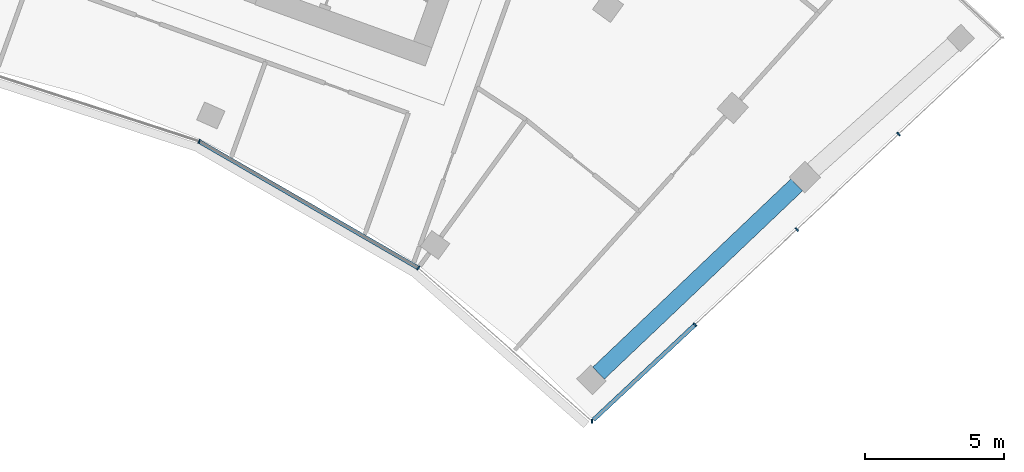
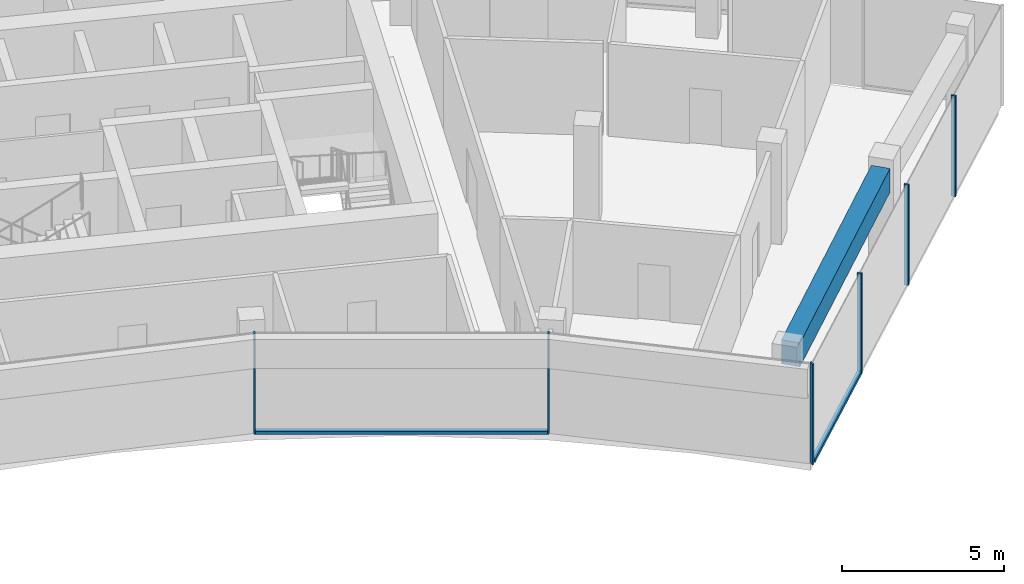
# One storey, part 8 of 18: 8 members, 1 beam, 2 elements without a shape of their own.
"""IFC4 building model written with IfcOpenShell, lengths in metres."""

from ifc_helpers import new_model, si_unit, direction, frame, origin, origin_2d, place, context, subcontext, project, spatial, rectangle, extrude, material, layer, layer_set, material_profile, profile_set, type_object, element, aggregate, save


model = new_model("IFC4")

# Units and contexts
model_context = context("Model", 3, precision=1e-05, world=origin(), true_north=direction((0.0, 1.0)))
body_context = subcontext(model_context, "Body", "Model", "MODEL_VIEW")
ifc_project = project(units=[si_unit("LENGTHUNIT", "METRE"), si_unit("AREAUNIT", "SQUARE_METRE"), si_unit("VOLUMEUNIT", "CUBIC_METRE"), si_unit("PLANEANGLEUNIT", "RADIAN"), si_unit("MASSUNIT", "GRAM", prefix="KILO")], contexts=[model_context])

# Site, building, storey
site_placement = place(None, origin())
site = spatial("IfcSite", under=ifc_project, at=site_placement, CompositionType="ELEMENT")
building_placement = place(site_placement, origin())
building = spatial("IfcBuilding", under=site, at=building_placement, Name="Stone Belt Terrace Tower", CompositionType="ELEMENT")
storey_placement = place(building_placement, frame((0.0, 0.0, 269.39990234375)))
storey = spatial("IfcBuildingStorey", under=building, at=storey_placement, Name="L65", CompositionType="ELEMENT", Elevation=269.39990234375)

# Curtain wall, members
ifc_material_1 = material(Name="Aluminium 6063-T6 anodised frame", Category="aluminium")
ifc_layer_1 = layer(ifc_material_1, 0.14990234375)
ifc_layer_set_1 = layer_set([ifc_layer_1], Name="CW-B unitised concave-face curtain wall")
curtain_wall_type_1 = type_object("IfcCurtainWallType", Name="CW-B unitised concave-face curtain wall", PredefinedType="NOTDEFINED", material=ifc_layer_set_1)
curtain_wall_1_placement = place(storey_placement, origin())
curtain_wall_1 = element("IfcCurtainWall", 1, at=curtain_wall_1_placement, inside=storey, type_object=curtain_wall_type_1, Name="CW-B concave face L65", PredefinedType="NOTDEFINED")
ifc_material_profile_1 = material_profile(ifc_material_1, rectangle(XDim=0.14990234375, YDim=0.050048828125, at=origin_2d()), Name="Aluminium 6063-T6 50x150")
ifc_profile_set_1 = profile_set([ifc_material_profile_1], Name="Aluminium 6063-T6 anodised frame")
member_type_1 = type_object("IfcMemberType", Name="CW-B mullion 50 x 150", PredefinedType="MULLION", material=ifc_profile_set_1)
member_1_placement = place(storey_placement, frame((17.662353515625, 39.67041015625, 0.0), z_axis=(0.0, 0.0, 1.0), x_axis=(0.406736643076, 0.913545457643, 0.0)))
member_1 = element("IfcMember", 2, at=member_1_placement, type_object=member_type_1, Name="CW-B mullion 7", PredefinedType="MULLION", context=body_context, shape_type="SweptSolid", body=[
    extrude(rectangle(XDim=0.14990234375, YDim=0.050048828125, at=origin_2d()), origin(), (0.0, 0.0, 1.0), 3.800048828125),
])
member_2_placement = place(storey_placement, frame((25.524658203125, 35.131103515625, 0.0), z_axis=(0.0, 0.0, 1.0), x_axis=(0.583818854632, 0.811883947973, 0.0)))
member_2 = element("IfcMember", 3, at=member_2_placement, type_object=member_type_1, Name="CW-B mullion 8", PredefinedType="MULLION", context=body_context, shape_type="SweptSolid", body=[
    extrude(rectangle(XDim=0.14990234375, YDim=0.050048828125, at=origin_2d()), origin(), (0.0, 0.0, 1.0), 3.800048828125),
])
ifc_material_profile_2 = material_profile(ifc_material_1, rectangle(XDim=0.14990234375, YDim=0.1201171875, at=origin_2d()), Name="Aluminium 6063-T6 150x120")
ifc_profile_set_2 = profile_set([ifc_material_profile_2], Name="Aluminium 6063-T6 anodised frame")
member_type_2 = type_object("IfcMemberType", Name="CW-B transom 120 x 150", PredefinedType="USERDEFINED", material=ifc_profile_set_2)
member_3_placement = place(storey_placement, frame((17.690673828125, 39.654052734375, 0.06005859375), z_axis=(0.866020948727, -0.500007716307, 0.0), x_axis=(0.500007716307, 0.866020948727, 0.0)))
member_3 = element("IfcMember", 4, at=member_3_placement, type_object=member_type_2, Name="CW-B transom 7.1", ObjectType="TRANSOM", PredefinedType="USERDEFINED", context=body_context, shape_type="SweptSolid", body=[
    extrude(rectangle(XDim=0.14990234375, YDim=0.1201171875, at=origin_2d()), origin(), (0.0, 0.0, 1.0), 9.013427734375),
])
aggregate(curtain_wall_1, [member_1, member_2, member_3])

ifc_layer_2 = layer(ifc_material_1, 0.14990234375)
ifc_layer_set_2 = layer_set([ifc_layer_2], Name="CW-C stick curtain wall, horn ends and notches")
curtain_wall_type_2 = type_object("IfcCurtainWallType", Name="CW-C stick curtain wall, horn ends and notches", PredefinedType="NOTDEFINED", material=ifc_layer_set_2)
curtain_wall_2_placement = place(storey_placement, origin())
curtain_wall_2 = element("IfcCurtainWall", 5, at=curtain_wall_2_placement, inside=storey, type_object=curtain_wall_type_2, Name="CW-C end face L65", PredefinedType="NOTDEFINED")
ifc_material_profile_3 = material_profile(ifc_material_1, rectangle(XDim=0.14990234375, YDim=0.06005859375, at=origin_2d()), Name="Aluminium 6063-T6 60x150")
ifc_profile_set_3 = profile_set([ifc_material_profile_3], Name="Aluminium 6063-T6 anodised frame")
member_type_3 = type_object("IfcMemberType", Name="CW-C mullion 60 x 150", PredefinedType="MULLION", material=ifc_profile_set_3)
member_4_placement = place(storey_placement, frame((31.75244140625, 29.633056640625, 0.0), z_axis=(0.0, 0.0, 1.0), x_axis=(-0.014681639593, 0.999892218921, 0.0)))
member_4 = element("IfcMember", 6, at=member_4_placement, type_object=member_type_3, Name="CW-C mullion 1", PredefinedType="MULLION", context=body_context, shape_type="SweptSolid", body=[
    extrude(rectangle(XDim=0.14990234375, YDim=0.06005859375, at=origin_2d()), origin(), (0.0, 0.0, 1.0), 3.800048828125),
])
member_5_placement = place(storey_placement, frame((35.45166015625, 33.097412109375, 0.0), z_axis=(0.0, 0.0, 1.0), x_axis=(-0.683549434973, 0.729904219708, 0.0)))
member_5 = element("IfcMember", 7, at=member_5_placement, type_object=member_type_3, Name="CW-C mullion 2", PredefinedType="MULLION", context=body_context, shape_type="SweptSolid", body=[
    extrude(rectangle(XDim=0.14990234375, YDim=0.06005859375, at=origin_2d()), origin(), (0.0, 0.0, 1.0), 3.800048828125),
])
member_6_placement = place(storey_placement, frame((39.10107421875, 36.51513671875, 0.0), z_axis=(0.0, 0.0, 1.0), x_axis=(-0.683549434973, 0.729904219708, 0.0)))
member_6 = element("IfcMember", 8, at=member_6_placement, type_object=member_type_3, Name="CW-C mullion 3", PredefinedType="MULLION", context=body_context, shape_type="SweptSolid", body=[
    extrude(rectangle(XDim=0.14990234375, YDim=0.06005859375, at=origin_2d()), origin(), (0.0, 0.0, 1.0), 3.800048828125),
])
member_7_placement = place(storey_placement, frame((42.750732421875, 39.932861328125, 0.0), z_axis=(0.0, 0.0, 1.0), x_axis=(-0.683549434973, 0.729904219708, 0.0)))
member_7 = element("IfcMember", 9, at=member_7_placement, type_object=member_type_3, Name="CW-C mullion 4", PredefinedType="MULLION", context=body_context, shape_type="SweptSolid", body=[
    extrude(rectangle(XDim=0.14990234375, YDim=0.06005859375, at=origin_2d()), origin(), (0.0, 0.0, 1.0), 3.800048828125),
])
ifc_material_profile_4 = material_profile(ifc_material_1, rectangle(XDim=0.14990234375, YDim=0.1201171875, at=origin_2d()), Name="Aluminium 6063-T6 150x120")
ifc_profile_set_4 = profile_set([ifc_material_profile_4], Name="Aluminium 6063-T6 anodised frame")
member_type_4 = type_object("IfcMemberType", Name="CW-C transom 120 x 150", PredefinedType="USERDEFINED", material=ifc_profile_set_4)
member_8_placement = place(storey_placement, frame((31.805419921875, 29.6826171875, 0.06005859375), z_axis=(0.72988516347, 0.683569782938, 0.0), x_axis=(-0.683569782938, 0.72988516347, 0.0)))
member_8 = element("IfcMember", 10, at=member_8_placement, type_object=member_type_4, Name="CW-C transom 1.1", ObjectType="TRANSOM", PredefinedType="USERDEFINED", context=body_context, shape_type="SweptSolid", body=[
    extrude(rectangle(XDim=0.14990234375, YDim=0.1201171875, at=origin_2d()), origin(), (0.0, 0.0, 1.0), 4.965576171875),
])
aggregate(curtain_wall_2, [member_4, member_5, member_6, member_7, member_8])

# Beam
ifc_material_2 = material(Name="Concrete B60", Category="concrete")
ifc_material_profile_5 = material_profile(ifc_material_2, rectangle(XDim=0.60009765625, YDim=0.89990234375, at=origin_2d()), Name="RC 600x900")
ifc_profile_set_5 = profile_set([ifc_material_profile_5], Name="Concrete B60")
beam_type = type_object("IfcBeamType", Name="Edge beam RC 600x900 B60", PredefinedType="SPANDREL", material=ifc_profile_set_5)
beam_placement = place(storey_placement, frame((31.98876953125, 31.35791015625, 3.030029296875), z_axis=(0.72502367576, 0.688723942946, 0.0), x_axis=(-0.688723942946, 0.72502367576, 0.0)))
element("IfcBeam", 11, at=beam_placement, inside=storey, type_object=beam_type, Name="Edge beam L65 B P to Q", PredefinedType="SPANDREL", context=body_context, shape_type="SweptSolid", body=[
    extrude(rectangle(XDim=0.60009765625, YDim=0.89990234375, at=origin_2d()), origin(), (0.0, 0.0, 1.0), 9.80615234375),
])

save(model, "model.ifc")
